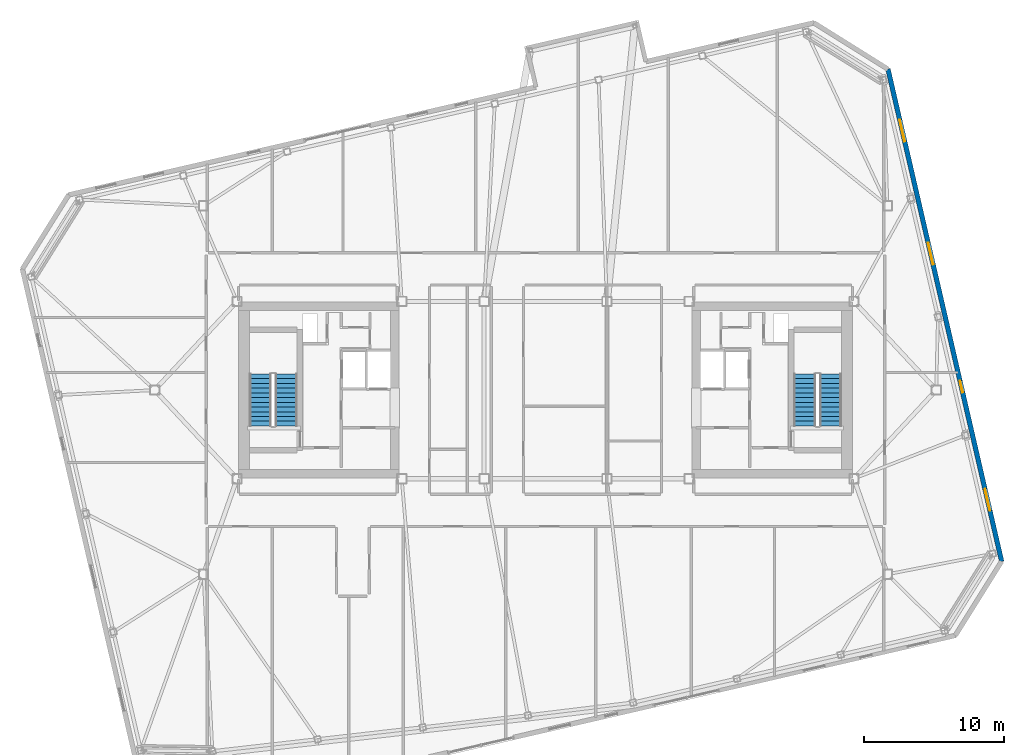
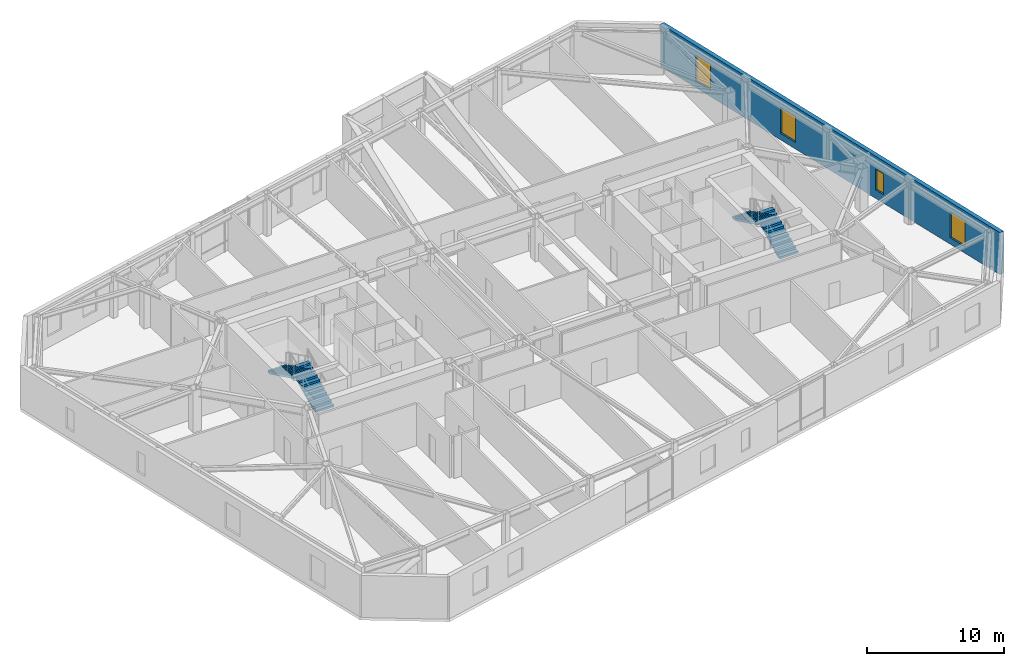
# One storey, part 19 of 22: 4 stair flights, 4 windows, 1 wall, 4 openings, 2 elements without a shape of their own.
"""IFC4 building model written with IfcOpenShell, lengths in metres."""

from ifc_helpers import new_model, si_unit, direction, frame, frame_2d, origin, place, context, subcontext, project, spatial, polyline, rectangle, outline, extrude, material, layer, layer_set, type_object, element, fill, aggregate, save


model = new_model("IFC4")

# Units and contexts
model_context = context("Model", 3, precision=1e-05, world=origin(), true_north=direction((0.0, 1.0)))
body_context = subcontext(model_context, "Body", "Model", "MODEL_VIEW")
ifc_project = project(units=[si_unit("LENGTHUNIT", "METRE"), si_unit("AREAUNIT", "SQUARE_METRE"), si_unit("VOLUMEUNIT", "CUBIC_METRE"), si_unit("PLANEANGLEUNIT", "RADIAN"), si_unit("MASSUNIT", "GRAM", prefix="KILO")], contexts=[model_context])

# Site, building, storey
site_placement = place(None, origin())
site = spatial("IfcSite", under=ifc_project, at=site_placement, CompositionType="ELEMENT")
building_placement = place(site_placement, origin())
building = spatial("IfcBuilding", under=site, at=building_placement, Name="Tavrogorsk Clinical Tower", CompositionType="ELEMENT")
storey_placement = place(building_placement, frame((0.0, 0.0, 313.0)))
storey = spatial("IfcBuildingStorey", under=building, at=storey_placement, Name="L73", CompositionType="ELEMENT", Elevation=313.0)

# Wall, openings, windows
ifc_material_1 = material(Name="Precast concrete B45 with limestone cladding", Category="masonry")
ifc_layer = layer(ifc_material_1, 0.340087890625)
ifc_layer_set = layer_set([ifc_layer], Name="Precast concrete B45 with limestone cladding")
wall_type = type_object("IfcWallType", Name="PrecastLimestoneWall_340", PredefinedType="STANDARD", material=ifc_layer_set)
wall_placement = place(storey_placement, frame((32.685791015625, -12.27587890625, 0.0), z_axis=(0.0, 0.0, 1.0), x_axis=(-0.224953091034, 0.974369594576, 0.0)))
wall = element("IfcWall", 1, at=wall_placement, inside=storey, type_object=wall_type, Name="L73 E Pleated Limestone Wing Wall", PredefinedType="STANDARD", context=body_context, shape_type="SweptSolid", body=[
    extrude(rectangle(XDim=36.199951171875, YDim=0.340087890625, at=frame_2d((18.10009765625, 0.0))), origin(), (0.0, 0.0, 1.0), 3.739990234375),
])
opening_1_placement = place(wall_placement, frame((3.72509765625, 0.0, 0.580078125)))
opening_1 = element("IfcOpeningElement", 2, at=opening_1_placement, cuts=wall, Name="Opening WN-07", PredefinedType="OPENING", context=body_context, shape_type="SweptSolid", body=[
    extrude(rectangle(XDim=1.60009765625, YDim=2.300048828125, at=frame_2d((0.800048828125, 1.14990234375))), frame((0.0, 0.179931640625, 0.0), z_axis=(0.0, -1.0, 0.0), x_axis=(1.0, 0.0, 0.0)), (0.0, 0.0, 1.0), 0.360107421875),
])
opening_2_placement = place(wall_placement, frame((12.425048828125, 0.0, 0.75)))
opening_2 = element("IfcOpeningElement", 3, at=opening_2_placement, cuts=wall, Name="Opening WN-06", PredefinedType="OPENING", context=body_context, shape_type="SweptSolid", body=[
    extrude(rectangle(XDim=0.85009765625, YDim=1.85009765625, at=frame_2d((0.425048828125, 0.925048828125))), frame((0.0, 0.179931640625, 0.0), z_axis=(0.0, -1.0, 0.0), x_axis=(1.0, 0.0, 0.0)), (0.0, 0.0, 1.0), 0.360107421875),
])
opening_3_placement = place(wall_placement, frame((21.824951171875, 0.0, 0.580078125)))
opening_3 = element("IfcOpeningElement", 4, at=opening_3_placement, cuts=wall, Name="Opening WN-07", PredefinedType="OPENING", context=body_context, shape_type="SweptSolid", body=[
    extrude(rectangle(XDim=1.60009765625, YDim=2.300048828125, at=frame_2d((0.800048828125, 1.14990234375))), frame((0.0, 0.179931640625, 0.0), z_axis=(0.0, -1.0, 0.0), x_axis=(1.0, 0.0, 0.0)), (0.0, 0.0, 1.0), 0.360107421875),
])
opening_4_placement = place(wall_placement, frame((30.875, 0.0, 0.580078125)))
opening_4 = element("IfcOpeningElement", 5, at=opening_4_placement, cuts=wall, Name="Opening WN-07", PredefinedType="OPENING", context=body_context, shape_type="SweptSolid", body=[
    extrude(rectangle(XDim=1.60009765625, YDim=2.300048828125, at=frame_2d((0.800048828125, 1.14990234375))), frame((0.0, 0.179931640625, 0.0), z_axis=(0.0, -1.0, 0.0), x_axis=(1.0, 0.0, 0.0)), (0.0, 0.0, 1.0), 0.360107421875),
])
ifc_material_2 = material(Name="Thermally broken aluminium frame and triple IGU", Category="aluminium")
window_type_1 = type_object("IfcWindowType", Name="MullionSubWin_850x1850", PartitioningType="SINGLE_PANEL", PredefinedType="WINDOW", material=ifc_material_2)
window_1_placement = place(opening_2_placement, origin())
window_1 = element("IfcWindow", 6, at=window_1_placement, inside=storey, type_object=window_type_1, Name="L73 E Pleat Mullion Window 2A", OverallHeight=1.85009765625, OverallWidth=0.85009765625, PartitioningType="SINGLE_PANEL", PredefinedType="WINDOW", context=body_context, shape_type="SweptSolid", body=[
    extrude(rectangle(XDim=0.85009765625, YDim=1.85009765625, at=frame_2d((0.425048828125, 0.925048828125))), frame((0.0, 0.030029296875, 0.0), z_axis=(0.0, -1.0, 0.0), x_axis=(1.0, 0.0, 0.0)), (0.0, 0.0, 1.0), 0.06005859375),
])
fill(opening_2, window_1)
ifc_material_3 = material(Name="Thermally broken aluminium frame and triple IGU", Category="aluminium")
window_type_2 = type_object("IfcWindowType", Name="PleatSlotWin_1600x2300", PartitioningType="SINGLE_PANEL", PredefinedType="WINDOW", material=ifc_material_3)
window_2_placement = place(opening_1_placement, origin())
window_2 = element("IfcWindow", 7, at=window_2_placement, inside=storey, type_object=window_type_2, Name="L73 E Pleat Slot Window 1", OverallHeight=2.300048828125, OverallWidth=1.60009765625, PartitioningType="SINGLE_PANEL", PredefinedType="WINDOW", context=body_context, shape_type="SweptSolid", body=[
    extrude(rectangle(XDim=1.60009765625, YDim=2.300048828125, at=frame_2d((0.800048828125, 1.14990234375))), frame((0.0, 0.030029296875, 0.0), z_axis=(0.0, -1.0, 0.0), x_axis=(1.0, 0.0, 0.0)), (0.0, 0.0, 1.0), 0.06005859375),
])
fill(opening_1, window_2)
window_3_placement = place(opening_3_placement, origin())
window_3 = element("IfcWindow", 8, at=window_3_placement, inside=storey, type_object=window_type_2, Name="L73 E Pleat Slot Window 3", OverallHeight=2.300048828125, OverallWidth=1.60009765625, PartitioningType="SINGLE_PANEL", PredefinedType="WINDOW", context=body_context, shape_type="SweptSolid", body=[
    extrude(rectangle(XDim=1.60009765625, YDim=2.300048828125, at=frame_2d((0.800048828125, 1.14990234375))), frame((0.0, 0.030029296875, 0.0), z_axis=(0.0, -1.0, 0.0), x_axis=(1.0, 0.0, 0.0)), (0.0, 0.0, 1.0), 0.06005859375),
])
fill(opening_3, window_3)
window_4_placement = place(opening_4_placement, origin())
window_4 = element("IfcWindow", 9, at=window_4_placement, inside=storey, type_object=window_type_2, Name="L73 E Pleat Slot Window 4", OverallHeight=2.300048828125, OverallWidth=1.60009765625, PartitioningType="SINGLE_PANEL", PredefinedType="WINDOW", context=body_context, shape_type="SweptSolid", body=[
    extrude(rectangle(XDim=1.60009765625, YDim=2.300048828125, at=frame_2d((0.800048828125, 1.14990234375))), frame((0.0, 0.030029296875, 0.0), z_axis=(0.0, -1.0, 0.0), x_axis=(1.0, 0.0, 0.0)), (0.0, 0.0, 1.0), 0.06005859375),
])
fill(opening_4, window_4)

# Stair, stair flights
ifc_material_4 = material(Name="Concrete B60", Category="concrete")
stair_type = type_object("IfcStairType", Name="CoreStairAssembly", PredefinedType="HALF_TURN_STAIR", material=ifc_material_4)
stair_1_placement = place(storey_placement, origin())
stair_1 = element("IfcStair", 10, at=stair_1_placement, inside=storey, type_object=stair_type, Name="L73 ST-W", PredefinedType="HALF_TURN_STAIR")
ifc_material_5 = material(Name="Concrete B60", Category="concrete")
stair_flight_type = type_object("IfcStairFlightType", Name="CoreStairFlight", PredefinedType="STRAIGHT", material=ifc_material_5)
stair_flight_1_placement = place(storey_placement, frame((-18.574951171875, -2.574951171875, 0.0), z_axis=(0.0, 0.0, 1.0), x_axis=(0.0, 1.0, 0.0)))
stair_flight_1 = element("IfcStairFlight", 11, at=stair_flight_1_placement, type_object=stair_flight_type, Name="ST-W flight 1", NumberOfRisers=12, NumberOfTreads=11, PredefinedType="STRAIGHT", RiserHeight=0.166666667, TreadLength=0.34, context=body_context, shape_type="SweptSolid", body=[
    extrude(outline(polyline([(0.0, 0.0), (0.0, 0.166748046875), (0.340087890625, 0.166748046875), (0.340087890625, 0.333251953125), (0.679931640625, 0.333251953125), (0.679931640625, 0.5), (1.02001953125, 0.5), (1.02001953125, 0.666748046875), (1.360107421875, 0.666748046875), (1.360107421875, 0.833251953125), (1.699951171875, 0.833251953125), (1.699951171875, 1.0), (2.0400390625, 1.0), (2.0400390625, 1.166748046875), (2.3798828125, 1.166748046875), (2.3798828125, 1.333251953125), (2.719970703125, 1.333251953125), (2.719970703125, 1.5), (3.06005859375, 1.5), (3.06005859375, 1.666748046875), (3.39990234375, 1.666748046875), (3.39990234375, 1.833251953125), (3.739990234375, 1.833251953125), (3.739990234375, 2.0), (3.739990234375, 1.66650390625), (0.340576171875, 0.0), (0.0, 0.0)])), frame((0.0, 0.77490234375, 0.0), z_axis=(0.0, -1.0, 0.0), x_axis=(1.0, 0.0, 0.0)), (0.0, 0.0, 1.0), 1.550048828125),
])
stair_flight_2_placement = place(storey_placement, frame((-20.425048828125, 1.1650390625, 2.0), z_axis=(0.0, 0.0, 1.0), x_axis=(0.0, -1.0, 0.0)))
stair_flight_2 = element("IfcStairFlight", 12, at=stair_flight_2_placement, type_object=stair_flight_type, Name="ST-W flight 2", NumberOfRisers=12, NumberOfTreads=11, PredefinedType="STRAIGHT", RiserHeight=0.166666667, TreadLength=0.34, context=body_context, shape_type="SweptSolid", body=[
    extrude(outline(polyline([(0.0, 0.0), (0.0, 0.166748046875), (0.340087890625, 0.166748046875), (0.340087890625, 0.333251953125), (0.679931640625, 0.333251953125), (0.679931640625, 0.5), (1.02001953125, 0.5), (1.02001953125, 0.666748046875), (1.360107421875, 0.666748046875), (1.360107421875, 0.833251953125), (1.699951171875, 0.833251953125), (1.699951171875, 1.0), (2.0400390625, 1.0), (2.0400390625, 1.166748046875), (2.3798828125, 1.166748046875), (2.3798828125, 1.333251953125), (2.719970703125, 1.333251953125), (2.719970703125, 1.5), (3.06005859375, 1.5), (3.06005859375, 1.666748046875), (3.39990234375, 1.666748046875), (3.39990234375, 1.833251953125), (3.739990234375, 1.833251953125), (3.739990234375, 2.0), (3.739990234375, 1.66650390625), (0.340576171875, 0.0), (0.0, 0.0)])), frame((0.0, 0.77490234375, 0.0), z_axis=(0.0, -1.0, 0.0), x_axis=(1.0, 0.0, 0.0)), (0.0, 0.0, 1.0), 1.550048828125),
])
aggregate(stair_1, [stair_flight_1, stair_flight_2])

stair_2_placement = place(storey_placement, origin())
stair_2 = element("IfcStair", 13, at=stair_2_placement, inside=storey, type_object=stair_type, Name="L73 ST-E", PredefinedType="HALF_TURN_STAIR")
stair_flight_3_placement = place(storey_placement, frame((20.425048828125, -2.574951171875, 0.0), z_axis=(0.0, 0.0, 1.0), x_axis=(0.0, 1.0, 0.0)))
stair_flight_3 = element("IfcStairFlight", 14, at=stair_flight_3_placement, type_object=stair_flight_type, Name="ST-E flight 1", NumberOfRisers=12, NumberOfTreads=11, PredefinedType="STRAIGHT", RiserHeight=0.166666667, TreadLength=0.34, context=body_context, shape_type="SweptSolid", body=[
    extrude(outline(polyline([(0.0, 0.0), (0.0, 0.166748046875), (0.340087890625, 0.166748046875), (0.340087890625, 0.333251953125), (0.679931640625, 0.333251953125), (0.679931640625, 0.5), (1.02001953125, 0.5), (1.02001953125, 0.666748046875), (1.360107421875, 0.666748046875), (1.360107421875, 0.833251953125), (1.699951171875, 0.833251953125), (1.699951171875, 1.0), (2.0400390625, 1.0), (2.0400390625, 1.166748046875), (2.3798828125, 1.166748046875), (2.3798828125, 1.333251953125), (2.719970703125, 1.333251953125), (2.719970703125, 1.5), (3.06005859375, 1.5), (3.06005859375, 1.666748046875), (3.39990234375, 1.666748046875), (3.39990234375, 1.833251953125), (3.739990234375, 1.833251953125), (3.739990234375, 2.0), (3.739990234375, 1.66650390625), (0.340576171875, 0.0), (0.0, 0.0)])), frame((0.0, 0.77490234375, 0.0), z_axis=(0.0, -1.0, 0.0), x_axis=(1.0, 0.0, 0.0)), (0.0, 0.0, 1.0), 1.550048828125),
])
stair_flight_4_placement = place(storey_placement, frame((18.574951171875, 1.1650390625, 2.0), z_axis=(0.0, 0.0, 1.0), x_axis=(0.0, -1.0, 0.0)))
stair_flight_4 = element("IfcStairFlight", 15, at=stair_flight_4_placement, type_object=stair_flight_type, Name="ST-E flight 2", NumberOfRisers=12, NumberOfTreads=11, PredefinedType="STRAIGHT", RiserHeight=0.166666667, TreadLength=0.34, context=body_context, shape_type="SweptSolid", body=[
    extrude(outline(polyline([(0.0, 0.0), (0.0, 0.166748046875), (0.340087890625, 0.166748046875), (0.340087890625, 0.333251953125), (0.679931640625, 0.333251953125), (0.679931640625, 0.5), (1.02001953125, 0.5), (1.02001953125, 0.666748046875), (1.360107421875, 0.666748046875), (1.360107421875, 0.833251953125), (1.699951171875, 0.833251953125), (1.699951171875, 1.0), (2.0400390625, 1.0), (2.0400390625, 1.166748046875), (2.3798828125, 1.166748046875), (2.3798828125, 1.333251953125), (2.719970703125, 1.333251953125), (2.719970703125, 1.5), (3.06005859375, 1.5), (3.06005859375, 1.666748046875), (3.39990234375, 1.666748046875), (3.39990234375, 1.833251953125), (3.739990234375, 1.833251953125), (3.739990234375, 2.0), (3.739990234375, 1.66650390625), (0.340576171875, 0.0), (0.0, 0.0)])), frame((0.0, 0.77490234375, 0.0), z_axis=(0.0, -1.0, 0.0), x_axis=(1.0, 0.0, 0.0)), (0.0, 0.0, 1.0), 1.550048828125),
])
aggregate(stair_2, [stair_flight_3, stair_flight_4])

save(model, "model.ifc")
